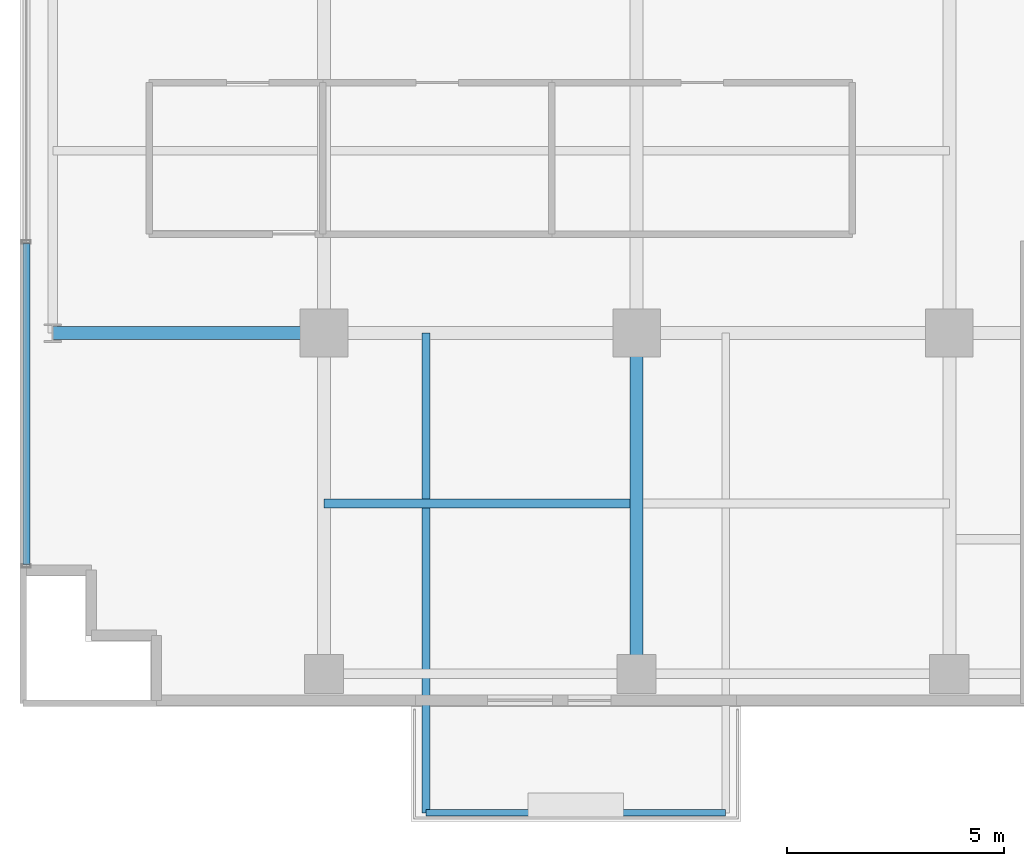
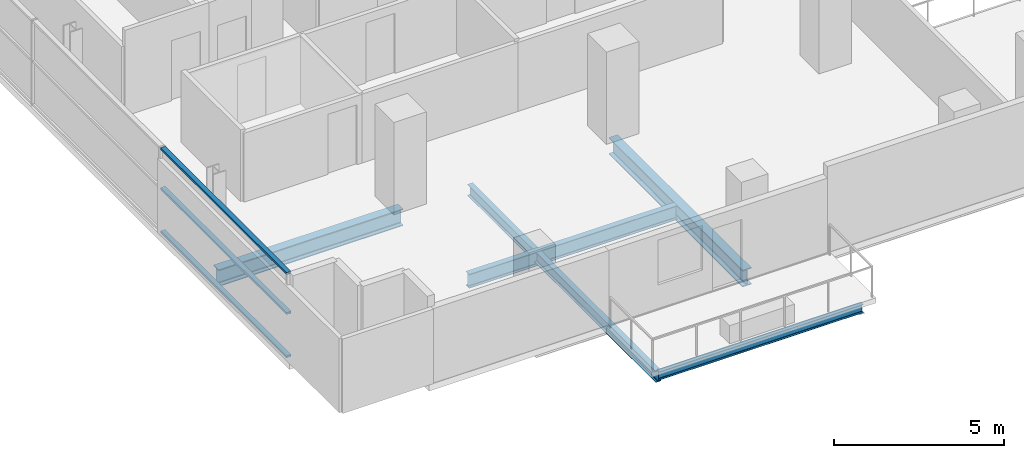
# One storey, part 3 of 26: 5 beams, 3 members, 1 element without a shape of its own.
"""IFC4 building model written with IfcOpenShell, lengths in metres."""

from ifc_helpers import new_model, si_unit, direction, frame, origin, origin_2d, place, context, subcontext, project, spatial, hollow_rectangle, i_section, extrude, source, transform, mapped, material, layer, layer_set, material_profile, profile_set, type_object, element, aggregate, save


model = new_model("IFC4")

# Units and contexts
model_context = context("Model", 3, precision=1e-05, world=origin(), true_north=direction((0.0, 1.0)))
body_context = subcontext(model_context, "Body", "Model", "MODEL_VIEW")
ifc_project = project(units=[si_unit("LENGTHUNIT", "METRE"), si_unit("AREAUNIT", "SQUARE_METRE"), si_unit("VOLUMEUNIT", "CUBIC_METRE"), si_unit("PLANEANGLEUNIT", "RADIAN"), si_unit("MASSUNIT", "GRAM", prefix="KILO")], contexts=[model_context])

# Site, building, storey
site_placement = place(None, origin())
site = spatial("IfcSite", under=ifc_project, at=site_placement, CompositionType="ELEMENT")
building_placement = place(site_placement, origin())
building = spatial("IfcBuilding", under=site, at=building_placement, Name="Zarnakvel Exchange Tower", CompositionType="ELEMENT")
storey_placement = place(building_placement, frame((0.0, 0.0, 63.699951171875)))
storey = spatial("IfcBuildingStorey", under=building, at=storey_placement, Name="L17", CompositionType="ELEMENT", Elevation=63.699951171875)

# Beams
ifc_material_1 = material(Name="Steel S355", Category="steel")
ifc_material_profile_1 = material_profile(ifc_material_1, i_section(OverallWidth=0.199951171875, OverallDepth=0.5, WebThickness=0.01025390625, FlangeThickness=0.01611328125, FilletRadius=0.02099609375, at=origin_2d()))
ifc_profile_set_1 = profile_set([ifc_material_profile_1], Name="Steel S355")
beam_type_1 = type_object("IfcBeamType", Name="B-04", PredefinedType="JOIST", material=ifc_profile_set_1)
beam_1_placement = place(storey_placement, frame((-21.60009765625, -13.52490234375, -0.474853515625), z_axis=(1.0, 0.0, 0.0), x_axis=(0.0, 1.0, 0.0)))
element("IfcBeam", 1, at=beam_1_placement, inside=storey, type_object=beam_type_1, Name="L17 Composite Floor Secondary Joist", PredefinedType="JOIST", context=body_context, shape_type="SweptSolid", body=[
    extrude(i_section(OverallWidth=0.199951171875, OverallDepth=0.5, WebThickness=0.01025390625, FlangeThickness=0.01611328125, FilletRadius=0.02099609375, at=origin_2d()), origin(), (0.0, 0.0, 1.0), 7.050048828125),
])
ifc_material_profile_2 = material_profile(ifc_material_1, i_section(OverallWidth=0.179931640625, OverallDepth=0.39990234375, WebThickness=0.008544921875, FlangeThickness=0.013427734375, FilletRadius=0.02099609375, at=origin_2d()))
ifc_profile_set_2 = profile_set([ifc_material_profile_2], Name="Steel S355")
beam_type_2 = type_object("IfcBeamType", Name="B-06", PredefinedType="JOIST", material=ifc_profile_set_2)
beam_2_placement = place(storey_placement, frame((-19.25, -9.60009765625, -0.425048828125), z_axis=(0.0, -1.0, 0.0), x_axis=(1.0, 0.0, 0.0)))
element("IfcBeam", 2, at=beam_2_placement, inside=storey, type_object=beam_type_2, Name="L17 Continuous Back-Spanned Balcony Beam W", PredefinedType="JOIST", context=body_context, shape_type="SweptSolid", body=[
    extrude(i_section(OverallWidth=0.179931640625, OverallDepth=0.39990234375, WebThickness=0.008544921875, FlangeThickness=0.013427734375, FilletRadius=0.02099609375, at=origin_2d()), origin(), (0.0, 0.0, 1.0), 11.0498046875),
])
ifc_material_profile_3 = material_profile(ifc_material_1, i_section(OverallWidth=0.14990234375, OverallDepth=0.300048828125, WebThickness=0.007080078125, FlangeThickness=0.0107421875, FilletRadius=0.014892578125, at=origin_2d()))
ifc_profile_set_3 = profile_set([ifc_material_profile_3], Name="Steel S355")
beam_type_3 = type_object("IfcBeamType", Name="B-08", PredefinedType="JOIST", material=ifc_profile_set_3)
beam_3_placement = place(storey_placement, frame((-19.25, -20.64990234375, -0.375), z_axis=(1.0, 0.0, 0.0), x_axis=(0.0, 1.0, 0.0)))
element("IfcBeam", 3, at=beam_3_placement, inside=storey, type_object=beam_type_3, Name="L17 Balcony Edge Beam", PredefinedType="JOIST", context=body_context, shape_type="SweptSolid", body=[
    extrude(i_section(OverallWidth=0.14990234375, OverallDepth=0.300048828125, WebThickness=0.007080078125, FlangeThickness=0.0107421875, FilletRadius=0.014892578125, at=origin_2d()), origin(), (0.0, 0.0, 1.0), 6.89990234375),
])
ifc_material_profile_4 = material_profile(ifc_material_1, i_section(OverallWidth=0.300048828125, OverallDepth=0.60009765625, WebThickness=0.015380859375, FlangeThickness=0.030029296875, FilletRadius=0.027099609375, at=origin_2d()))
ifc_profile_set_4 = profile_set([ifc_material_profile_4], Name="Steel S355")
beam_type_4 = type_object("IfcBeamType", Name="G-04", PredefinedType="BEAM", material=ifc_profile_set_4)
beam_4_placement = place(storey_placement, frame((-27.85009765625, -9.60009765625, -0.52490234375), z_axis=(1.0, 0.0, 0.0), x_axis=(0.0, 1.0, 0.0)))
element("IfcBeam", 4, at=beam_4_placement, inside=storey, type_object=beam_type_4, Name="L17 Tower E-W Frame Beam", PredefinedType="BEAM", context=body_context, shape_type="SweptSolid", body=[
    extrude(i_section(OverallWidth=0.300048828125, OverallDepth=0.60009765625, WebThickness=0.015380859375, FlangeThickness=0.030029296875, FilletRadius=0.027099609375, at=origin_2d()), origin(), (0.0, 0.0, 1.0), 6.25),
])
beam_5_placement = place(storey_placement, frame((-14.39990234375, -17.449951171875, -0.52490234375), z_axis=(0.0, 1.0, 0.0), x_axis=(-1.0, 0.0, 0.0)))
element("IfcBeam", 5, at=beam_5_placement, inside=storey, type_object=beam_type_4, Name="L17 Tower N-S Frame Beam", PredefinedType="BEAM", context=body_context, shape_type="SweptSolid", body=[
    extrude(i_section(OverallWidth=0.300048828125, OverallDepth=0.60009765625, WebThickness=0.015380859375, FlangeThickness=0.030029296875, FilletRadius=0.027099609375, at=origin_2d()), origin(), (0.0, 0.0, 1.0), 7.849853515625),
])

# Curtain wall, members
ifc_material_2 = material(Name="Architectural Bronze Anodised Aluminium", Category="aluminium")
ifc_layer = layer(ifc_material_2, 0.199951171875)
ifc_layer_set = layer_set([ifc_layer], Name="Architectural Bronze Anodised Aluminium")
curtain_wall_type = type_object("IfcCurtainWallType", Name="CW-04", PredefinedType="NOTDEFINED", material=ifc_layer_set)
curtain_wall_placement = place(storey_placement, origin())
curtain_wall = element("IfcCurtainWall", 6, at=curtain_wall_placement, inside=storey, type_object=curtain_wall_type, Name="L17 Curtain Wall CW-L17-W1 (CW-04)", PredefinedType="NOTDEFINED")
ifc_material_profile_5 = material_profile(ifc_material_2, hollow_rectangle(XDim=0.159912109375, YDim=0.074951171875, WallThickness=0.00390625, at=origin_2d()))
ifc_profile_set_5 = profile_set([ifc_material_profile_5], Name="Architectural Bronze Anodised Aluminium")
member_type = type_object("IfcMemberType", Name="CWT-04", PredefinedType="USERDEFINED", material=ifc_profile_set_5)
shared_shape = source(origin(), body_context, "Body", "SweptSolid", [
    extrude(hollow_rectangle(XDim=0.159912109375, YDim=0.074951171875, WallThickness=0.00390625, at=origin_2d()), origin(), (0.0, 0.0, 1.0), 7.387451171875),
])
member_1_placement = place(storey_placement, frame((-28.4599609375, -14.925048828125, 0.03759765625), z_axis=(0.0, 1.0, 0.0), x_axis=(-1.0, 0.0, 0.0)))
member_1 = element("IfcMember", 7, at=member_1_placement, type_object=member_type, Name="CW-04 transom 1.1", ObjectType="TRANSOM", PredefinedType="USERDEFINED", context=body_context, shape_type="MappedRepresentation", body=[
    mapped(shared_shape, transform((0.0, 0.0, 0.0), x_axis=(1.0, 0.0, 0.0), y_axis=(0.0, 1.0, 0.0), z_axis=(0.0, 0.0, 1.0), scale=1.0)),
])
member_2_placement = place(storey_placement, frame((-28.4599609375, -14.925048828125, 1.588623046875), z_axis=(0.0, 1.0, 0.0), x_axis=(-1.0, 0.0, 0.0)))
member_2 = element("IfcMember", 8, at=member_2_placement, type_object=member_type, Name="CW-04 transom 1.2", ObjectType="TRANSOM", PredefinedType="USERDEFINED", context=body_context, shape_type="MappedRepresentation", body=[
    mapped(shared_shape, transform((0.0, 0.0, 0.0), x_axis=(1.0, 0.0, 0.0), y_axis=(0.0, 1.0, 0.0), z_axis=(0.0, 0.0, 1.0), scale=1.0)),
])
member_3_placement = place(storey_placement, frame((-28.4599609375, -14.925048828125, 3.017578125), z_axis=(0.0, 1.0, 0.0), x_axis=(-1.0, 0.0, 0.0)))
member_3 = element("IfcMember", 9, at=member_3_placement, type_object=member_type, Name="CW-04 transom 1.3", ObjectType="TRANSOM", PredefinedType="USERDEFINED", context=body_context, shape_type="MappedRepresentation", body=[
    mapped(shared_shape, transform((0.0, 0.0, 0.0), x_axis=(1.0, 0.0, 0.0), y_axis=(0.0, 1.0, 0.0), z_axis=(0.0, 0.0, 1.0), scale=1.0)),
])
aggregate(curtain_wall, [member_1, member_2, member_3])

save(model, "model.ifc")
